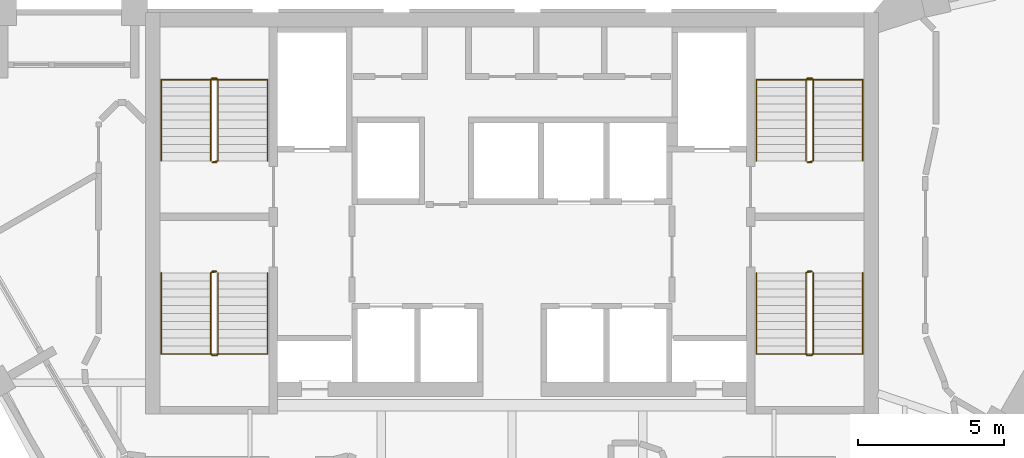
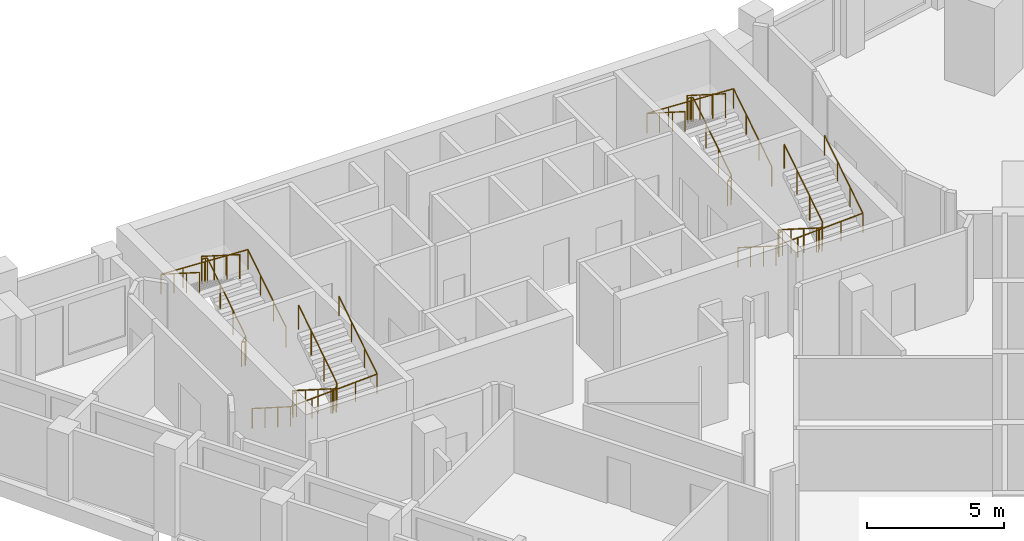
# One storey, part 9 of 9: 8 railings.
"""IFC4 building model written with IfcOpenShell, lengths in metres."""

from ifc_helpers import new_model, si_unit, direction, frame, origin, origin_2d, place, context, subcontext, project, spatial, circle, extrude, material, type_object, element, save


model = new_model("IFC4")

# Units and contexts
model_context = context("Model", 3, precision=1e-05, world=origin(), true_north=direction((0.0, 1.0)))
body_context = subcontext(model_context, "Body", "Model", "MODEL_VIEW")
ifc_project = project(units=[si_unit("LENGTHUNIT", "METRE"), si_unit("AREAUNIT", "SQUARE_METRE"), si_unit("VOLUMEUNIT", "CUBIC_METRE"), si_unit("PLANEANGLEUNIT", "RADIAN"), si_unit("MASSUNIT", "GRAM", prefix="KILO")], contexts=[model_context])

# Site, building, storey
site_placement = place(None, origin())
site = spatial("IfcSite", under=ifc_project, at=site_placement, CompositionType="ELEMENT")
building_placement = place(site_placement, origin())
building = spatial("IfcBuilding", under=site, at=building_placement, Name="Calabash Gate Tower", CompositionType="ELEMENT")
storey_placement = place(building_placement, frame((0.0, 0.0, 287.199951171875)))
storey = spatial("IfcBuildingStorey", under=building, at=storey_placement, Name="L69", CompositionType="ELEMENT", Elevation=287.199951171875)

# Railings
ifc_material_1 = material(Name="Black powder-coated steel balusters", Category="steel")
railing_type_1 = type_object("IfcRailingType", Name="Stair guard RL1100", PredefinedType="GUARDRAIL", material=ifc_material_1)
railing_1_placement = place(storey_placement, frame((-10.14990234375, 13.902587890625, 0.0)))
element("IfcRailing", 1, at=railing_1_placement, inside=storey, type_object=railing_type_1, Name="L69 ST1 stair guard 1", PredefinedType="GUARDRAIL", context=body_context, shape_type="SweptSolid", body=[
    extrude(circle(Radius=0.02392578125, at=origin_2d()), frame((0.0, 0.0, 1.076171875), z_axis=(-1.0, 0.0, 0.0), x_axis=(0.0, -1.0, 0.0)), (0.0, 0.0, 1.0), 0.150146484375),
    extrude(circle(Radius=0.02392578125, at=origin_2d()), frame((-0.150146484375, 0.0, 1.076171875), z_axis=(0.735524641326, 0.184105679453, 0.652003528208), x_axis=(-0.242814311512, 0.970072785993, 0.0)), (0.0, 0.0, 1.0), 0.271728515625),
    extrude(circle(Radius=0.02392578125, at=origin_2d()), frame((0.0498046875, 0.050048828125, 1.25341796875), z_axis=(0.0, 0.844041424197, 0.536277982245), x_axis=(-1.0, 0.0, 0.0)), (0.0, 0.0, 1.0), 3.3056640625),
    extrude(circle(Radius=0.02392578125, at=origin_2d()), frame((0.0498046875, 2.840087890625, 3.02587890625), z_axis=(-0.707106781187, 0.707106781187, 0.0), x_axis=(-0.707106781187, -0.707106781187, 0.0)), (0.0, 0.0, 1.0), 0.0703125),
    extrude(circle(Radius=0.02392578125, at=origin_2d()), frame((0.0, 2.889892578125, 3.02587890625), z_axis=(-1.0, 0.0, 0.0), x_axis=(0.0, -1.0, 0.0)), (0.0, 0.0, 1.0), 0.150146484375),
    extrude(circle(Radius=0.02392578125, at=origin_2d()), frame((-0.150146484375, 2.889892578125, 3.02587890625), z_axis=(-0.262009983441, -0.260731885961, 0.929176868105), x_axis=(0.705375805398, -0.708833529934, 0.0)), (0.0, 0.0, 1.0), 0.19091796875),
    extrude(circle(Radius=0.02392578125, at=origin_2d()), frame((-0.2001953125, 2.840087890625, 3.20361328125), z_axis=(0.0, -0.844041424197, 0.536277982245), x_axis=(1.0, 0.0, 0.0)), (0.0, 0.0, 1.0), 3.3056640625),
    extrude(circle(Radius=0.02099609375, at=origin_2d()), origin(), (0.0, 0.0, 1.0), 1.052001953125),
    extrude(circle(Radius=0.02099609375, at=origin_2d()), frame((-0.150146484375, 0.0, 0.0)), (0.0, 0.0, 1.0), 1.052001953125),
    extrude(circle(Radius=0.02099609375, at=origin_2d()), frame((0.0498046875, 0.050048828125, 0.17724609375)), (0.0, 0.0, 1.0), 1.052001953125),
    extrude(circle(Radius=0.02099609375, at=origin_2d()), frame((0.0498046875, 0.97998046875, 0.76806640625)), (0.0, 0.0, 1.0), 1.052001953125),
    extrude(circle(Radius=0.02099609375, at=origin_2d()), frame((0.0498046875, 1.91015625, 1.359130859375)), (0.0, 0.0, 1.0), 1.052001953125),
    extrude(circle(Radius=0.02099609375, at=origin_2d()), frame((0.0498046875, 2.840087890625, 1.949951171875)), (0.0, 0.0, 1.0), 1.052001953125),
    extrude(circle(Radius=0.02099609375, at=origin_2d()), frame((0.0, 2.889892578125, 1.949951171875)), (0.0, 0.0, 1.0), 1.052001953125),
    extrude(circle(Radius=0.02099609375, at=origin_2d()), frame((-0.150146484375, 2.889892578125, 1.949951171875)), (0.0, 0.0, 1.0), 1.052001953125),
    extrude(circle(Radius=0.02099609375, at=origin_2d()), frame((-0.2001953125, 2.840087890625, 2.12744140625)), (0.0, 0.0, 1.0), 1.052001953125),
    extrude(circle(Radius=0.02099609375, at=origin_2d()), frame((-0.2001953125, 1.91015625, 2.71826171875)), (0.0, 0.0, 1.0), 1.052001953125),
    extrude(circle(Radius=0.02099609375, at=origin_2d()), frame((-0.2001953125, 0.97998046875, 3.309326171875)), (0.0, 0.0, 1.0), 1.052001953125),
    extrude(circle(Radius=0.02099609375, at=origin_2d()), frame((-0.2001953125, 0.050048828125, 3.900146484375)), (0.0, 0.0, 1.0), 1.052001953125),
])
railing_2_placement = place(storey_placement, frame((-10.300048828125, 10.152587890625, 0.0)))
element("IfcRailing", 2, at=railing_2_placement, inside=storey, type_object=railing_type_1, Name="L69 ST2 stair guard 1", PredefinedType="GUARDRAIL", context=body_context, shape_type="SweptSolid", body=[
    extrude(circle(Radius=0.02392578125, at=origin_2d()), frame((0.0, 0.0, 1.076171875), z_axis=(1.0, 0.0, 0.0), x_axis=(0.0, 1.0, 0.0)), (0.0, 0.0, 1.0), 0.150146484375),
    extrude(circle(Radius=0.02392578125, at=origin_2d()), frame((0.150146484375, 0.0, 1.076171875), z_axis=(-0.735936453418, -0.183984113355, 0.651573006319), x_axis=(0.242535625036, -0.970142500145, 0.0)), (0.0, 0.0, 1.0), 0.27197265625),
    extrude(circle(Radius=0.02392578125, at=origin_2d()), frame((-0.050048828125, -0.050048828125, 1.25341796875), z_axis=(0.0, -0.844041424197, 0.536277982245), x_axis=(1.0, 0.0, 0.0)), (0.0, 0.0, 1.0), 3.3056640625),
    extrude(circle(Radius=0.02392578125, at=origin_2d()), frame((-0.050048828125, -2.840087890625, 3.02587890625), z_axis=(0.708833529934, -0.705375805398, 0.0), x_axis=(0.705375805398, 0.708833529934, 0.0)), (0.0, 0.0, 1.0), 0.070556640625),
    extrude(circle(Radius=0.02392578125, at=origin_2d()), frame((0.0, -2.889892578125, 3.02587890625), z_axis=(1.0, 0.0, 0.0), x_axis=(0.0, 1.0, 0.0)), (0.0, 0.0, 1.0), 0.150146484375),
    extrude(circle(Radius=0.02392578125, at=origin_2d()), frame((0.150146484375, -2.889892578125, 3.02587890625), z_axis=(0.26081902908, 0.26081902908, 0.92948742226), x_axis=(-0.707106781187, 0.707106781187, 0.0)), (0.0, 0.0, 1.0), 0.19091796875),
    extrude(circle(Radius=0.02392578125, at=origin_2d()), frame((0.199951171875, -2.840087890625, 3.20361328125), z_axis=(0.0, 0.844041424197, 0.536277982245), x_axis=(-1.0, 0.0, 0.0)), (0.0, 0.0, 1.0), 3.3056640625),
    extrude(circle(Radius=0.02099609375, at=origin_2d()), origin(), (0.0, 0.0, 1.0), 1.052001953125),
    extrude(circle(Radius=0.02099609375, at=origin_2d()), frame((0.150146484375, 0.0, 0.0)), (0.0, 0.0, 1.0), 1.052001953125),
    extrude(circle(Radius=0.02099609375, at=origin_2d()), frame((-0.050048828125, -0.050048828125, 0.17724609375)), (0.0, 0.0, 1.0), 1.052001953125),
    extrude(circle(Radius=0.02099609375, at=origin_2d()), frame((-0.050048828125, -0.97998046875, 0.76806640625)), (0.0, 0.0, 1.0), 1.052001953125),
    extrude(circle(Radius=0.02099609375, at=origin_2d()), frame((-0.050048828125, -1.91015625, 1.359130859375)), (0.0, 0.0, 1.0), 1.052001953125),
    extrude(circle(Radius=0.02099609375, at=origin_2d()), frame((-0.050048828125, -2.840087890625, 1.949951171875)), (0.0, 0.0, 1.0), 1.052001953125),
    extrude(circle(Radius=0.02099609375, at=origin_2d()), frame((0.0, -2.889892578125, 1.949951171875)), (0.0, 0.0, 1.0), 1.052001953125),
    extrude(circle(Radius=0.02099609375, at=origin_2d()), frame((0.150146484375, -2.889892578125, 1.949951171875)), (0.0, 0.0, 1.0), 1.052001953125),
    extrude(circle(Radius=0.02099609375, at=origin_2d()), frame((0.199951171875, -2.840087890625, 2.12744140625)), (0.0, 0.0, 1.0), 1.052001953125),
    extrude(circle(Radius=0.02099609375, at=origin_2d()), frame((0.199951171875, -1.91015625, 2.71826171875)), (0.0, 0.0, 1.0), 1.052001953125),
    extrude(circle(Radius=0.02099609375, at=origin_2d()), frame((0.199951171875, -0.97998046875, 3.309326171875)), (0.0, 0.0, 1.0), 1.052001953125),
    extrude(circle(Radius=0.02099609375, at=origin_2d()), frame((0.199951171875, -0.050048828125, 3.900146484375)), (0.0, 0.0, 1.0), 1.052001953125),
])
railing_3_placement = place(storey_placement, frame((10.300048828125, 13.902587890625, 0.0)))
element("IfcRailing", 3, at=railing_3_placement, inside=storey, type_object=railing_type_1, Name="L69 ST3 stair guard 1", PredefinedType="GUARDRAIL", context=body_context, shape_type="SweptSolid", body=[
    extrude(circle(Radius=0.02392578125, at=origin_2d()), frame((0.0, 0.0, 1.076171875), z_axis=(-1.0, 0.0, 0.0), x_axis=(0.0, -1.0, 0.0)), (0.0, 0.0, 1.0), 0.150146484375),
    extrude(circle(Radius=0.02392578125, at=origin_2d()), frame((-0.150146484375, 0.0, 1.076171875), z_axis=(0.735936453418, 0.183984113355, 0.651573006319), x_axis=(-0.242535625036, 0.970142500145, 0.0)), (0.0, 0.0, 1.0), 0.27197265625),
    extrude(circle(Radius=0.02392578125, at=origin_2d()), frame((0.050048828125, 0.050048828125, 1.25341796875), z_axis=(0.0, 0.844041424197, 0.536277982245), x_axis=(-1.0, 0.0, 0.0)), (0.0, 0.0, 1.0), 3.3056640625),
    extrude(circle(Radius=0.02392578125, at=origin_2d()), frame((0.050048828125, 2.840087890625, 3.02587890625), z_axis=(-0.708833529934, 0.705375805398, 0.0), x_axis=(-0.705375805398, -0.708833529934, 0.0)), (0.0, 0.0, 1.0), 0.070556640625),
    extrude(circle(Radius=0.02392578125, at=origin_2d()), frame((0.0, 2.889892578125, 3.02587890625), z_axis=(-1.0, 0.0, 0.0), x_axis=(0.0, -1.0, 0.0)), (0.0, 0.0, 1.0), 0.150146484375),
    extrude(circle(Radius=0.02392578125, at=origin_2d()), frame((-0.150146484375, 2.889892578125, 3.02587890625), z_axis=(-0.26081902908, -0.26081902908, 0.92948742226), x_axis=(0.707106781187, -0.707106781187, 0.0)), (0.0, 0.0, 1.0), 0.19091796875),
    extrude(circle(Radius=0.02392578125, at=origin_2d()), frame((-0.199951171875, 2.840087890625, 3.20361328125), z_axis=(0.0, -0.844041424197, 0.536277982245), x_axis=(1.0, 0.0, 0.0)), (0.0, 0.0, 1.0), 3.3056640625),
    extrude(circle(Radius=0.02099609375, at=origin_2d()), origin(), (0.0, 0.0, 1.0), 1.052001953125),
    extrude(circle(Radius=0.02099609375, at=origin_2d()), frame((-0.150146484375, 0.0, 0.0)), (0.0, 0.0, 1.0), 1.052001953125),
    extrude(circle(Radius=0.02099609375, at=origin_2d()), frame((0.050048828125, 0.050048828125, 0.17724609375)), (0.0, 0.0, 1.0), 1.052001953125),
    extrude(circle(Radius=0.02099609375, at=origin_2d()), frame((0.050048828125, 0.97998046875, 0.76806640625)), (0.0, 0.0, 1.0), 1.052001953125),
    extrude(circle(Radius=0.02099609375, at=origin_2d()), frame((0.050048828125, 1.91015625, 1.359130859375)), (0.0, 0.0, 1.0), 1.052001953125),
    extrude(circle(Radius=0.02099609375, at=origin_2d()), frame((0.050048828125, 2.840087890625, 1.949951171875)), (0.0, 0.0, 1.0), 1.052001953125),
    extrude(circle(Radius=0.02099609375, at=origin_2d()), frame((0.0, 2.889892578125, 1.949951171875)), (0.0, 0.0, 1.0), 1.052001953125),
    extrude(circle(Radius=0.02099609375, at=origin_2d()), frame((-0.150146484375, 2.889892578125, 1.949951171875)), (0.0, 0.0, 1.0), 1.052001953125),
    extrude(circle(Radius=0.02099609375, at=origin_2d()), frame((-0.199951171875, 2.840087890625, 2.12744140625)), (0.0, 0.0, 1.0), 1.052001953125),
    extrude(circle(Radius=0.02099609375, at=origin_2d()), frame((-0.199951171875, 1.91015625, 2.71826171875)), (0.0, 0.0, 1.0), 1.052001953125),
    extrude(circle(Radius=0.02099609375, at=origin_2d()), frame((-0.199951171875, 0.97998046875, 3.309326171875)), (0.0, 0.0, 1.0), 1.052001953125),
    extrude(circle(Radius=0.02099609375, at=origin_2d()), frame((-0.199951171875, 0.050048828125, 3.900146484375)), (0.0, 0.0, 1.0), 1.052001953125),
])
railing_4_placement = place(storey_placement, frame((10.14990234375, 10.152587890625, 0.0)))
element("IfcRailing", 4, at=railing_4_placement, inside=storey, type_object=railing_type_1, Name="L69 ST4 stair guard 1", PredefinedType="GUARDRAIL", context=body_context, shape_type="SweptSolid", body=[
    extrude(circle(Radius=0.02392578125, at=origin_2d()), frame((0.0, 0.0, 1.076171875), z_axis=(1.0, 0.0, 0.0), x_axis=(0.0, 1.0, 0.0)), (0.0, 0.0, 1.0), 0.150146484375),
    extrude(circle(Radius=0.02392578125, at=origin_2d()), frame((0.150146484375, 0.0, 1.076171875), z_axis=(-0.735524641326, -0.184105679453, 0.652003528208), x_axis=(0.242814311512, -0.970072785993, 0.0)), (0.0, 0.0, 1.0), 0.271728515625),
    extrude(circle(Radius=0.02392578125, at=origin_2d()), frame((-0.0498046875, -0.050048828125, 1.25341796875), z_axis=(0.0, -0.844041424197, 0.536277982245), x_axis=(1.0, 0.0, 0.0)), (0.0, 0.0, 1.0), 3.3056640625),
    extrude(circle(Radius=0.02392578125, at=origin_2d()), frame((-0.0498046875, -2.840087890625, 3.02587890625), z_axis=(0.707106781187, -0.707106781187, 0.0), x_axis=(0.707106781187, 0.707106781187, 0.0)), (0.0, 0.0, 1.0), 0.0703125),
    extrude(circle(Radius=0.02392578125, at=origin_2d()), frame((0.0, -2.889892578125, 3.02587890625), z_axis=(1.0, 0.0, 0.0), x_axis=(0.0, 1.0, 0.0)), (0.0, 0.0, 1.0), 0.150146484375),
    extrude(circle(Radius=0.02392578125, at=origin_2d()), frame((0.150146484375, -2.889892578125, 3.02587890625), z_axis=(0.262009983441, 0.260731885961, 0.929176868105), x_axis=(-0.705375805398, 0.708833529934, 0.0)), (0.0, 0.0, 1.0), 0.19091796875),
    extrude(circle(Radius=0.02392578125, at=origin_2d()), frame((0.2001953125, -2.840087890625, 3.20361328125), z_axis=(0.0, 0.844041424197, 0.536277982245), x_axis=(-1.0, 0.0, 0.0)), (0.0, 0.0, 1.0), 3.3056640625),
    extrude(circle(Radius=0.02099609375, at=origin_2d()), origin(), (0.0, 0.0, 1.0), 1.052001953125),
    extrude(circle(Radius=0.02099609375, at=origin_2d()), frame((0.150146484375, 0.0, 0.0)), (0.0, 0.0, 1.0), 1.052001953125),
    extrude(circle(Radius=0.02099609375, at=origin_2d()), frame((-0.0498046875, -0.050048828125, 0.17724609375)), (0.0, 0.0, 1.0), 1.052001953125),
    extrude(circle(Radius=0.02099609375, at=origin_2d()), frame((-0.0498046875, -0.97998046875, 0.76806640625)), (0.0, 0.0, 1.0), 1.052001953125),
    extrude(circle(Radius=0.02099609375, at=origin_2d()), frame((-0.0498046875, -1.91015625, 1.359130859375)), (0.0, 0.0, 1.0), 1.052001953125),
    extrude(circle(Radius=0.02099609375, at=origin_2d()), frame((-0.0498046875, -2.840087890625, 1.949951171875)), (0.0, 0.0, 1.0), 1.052001953125),
    extrude(circle(Radius=0.02099609375, at=origin_2d()), frame((0.0, -2.889892578125, 1.949951171875)), (0.0, 0.0, 1.0), 1.052001953125),
    extrude(circle(Radius=0.02099609375, at=origin_2d()), frame((0.150146484375, -2.889892578125, 1.949951171875)), (0.0, 0.0, 1.0), 1.052001953125),
    extrude(circle(Radius=0.02099609375, at=origin_2d()), frame((0.2001953125, -2.840087890625, 2.12744140625)), (0.0, 0.0, 1.0), 1.052001953125),
    extrude(circle(Radius=0.02099609375, at=origin_2d()), frame((0.2001953125, -1.91015625, 2.71826171875)), (0.0, 0.0, 1.0), 1.052001953125),
    extrude(circle(Radius=0.02099609375, at=origin_2d()), frame((0.2001953125, -0.97998046875, 3.309326171875)), (0.0, 0.0, 1.0), 1.052001953125),
    extrude(circle(Radius=0.02099609375, at=origin_2d()), frame((0.2001953125, -0.050048828125, 3.900146484375)), (0.0, 0.0, 1.0), 1.052001953125),
])
ifc_material_2 = material(Name="Black powder-coated steel tube 48 mm", Category="steel")
railing_type_2 = type_object("IfcRailingType", Name="Stair handrail RL900", PredefinedType="HANDRAIL", material=ifc_material_2)
railing_5_placement = place(storey_placement, frame((-8.39990234375, 13.95263671875, 0.17724609375)))
element("IfcRailing", 5, at=railing_5_placement, inside=storey, type_object=railing_type_2, Name="L69 ST1 stair handrail 1", PredefinedType="HANDRAIL", context=body_context, shape_type="SweptSolid", body=[
    extrude(circle(Radius=0.02392578125, at=origin_2d()), frame((0.0, 0.0, 0.8759765625), z_axis=(0.0, 0.844041424197, 0.536277982245), x_axis=(-1.0, 0.0, 0.0)), (0.0, 0.0, 1.0), 3.3056640625),
    extrude(circle(Radius=0.02392578125, at=origin_2d()), frame((0.0, 2.7900390625, 2.6484375), z_axis=(-0.998819872233, 0.0, 0.048568125685), x_axis=(0.0, -1.0, 0.0)), (0.0, 0.0, 1.0), 3.654541015625),
    extrude(circle(Radius=0.02392578125, at=origin_2d()), frame((-3.650146484375, 2.7900390625, 2.826171875), z_axis=(0.0, -0.844041424197, 0.536277982245), x_axis=(1.0, 0.0, 0.0)), (0.0, 0.0, 1.0), 3.3056640625),
    extrude(circle(Radius=0.02099609375, at=origin_2d()), origin(), (0.0, 0.0, 1.0), 0.851806640625),
    extrude(circle(Radius=0.02099609375, at=origin_2d()), frame((0.0, 0.929931640625, 0.5908203125)), (0.0, 0.0, 1.0), 0.851806640625),
    extrude(circle(Radius=0.02099609375, at=origin_2d()), frame((0.0, 1.860107421875, 1.181884765625)), (0.0, 0.0, 1.0), 0.851806640625),
    extrude(circle(Radius=0.02099609375, at=origin_2d()), frame((0.0, 2.7900390625, 1.772705078125)), (0.0, 0.0, 1.0), 0.851806640625),
    extrude(circle(Radius=0.02099609375, at=origin_2d()), frame((-0.91259765625, 2.7900390625, 1.817138671875)), (0.0, 0.0, 1.0), 0.851806640625),
    extrude(circle(Radius=0.02099609375, at=origin_2d()), frame((-1.8251953125, 2.7900390625, 1.861328125)), (0.0, 0.0, 1.0), 0.851806640625),
    extrude(circle(Radius=0.02099609375, at=origin_2d()), frame((-2.737548828125, 2.7900390625, 1.90576171875)), (0.0, 0.0, 1.0), 0.851806640625),
    extrude(circle(Radius=0.02099609375, at=origin_2d()), frame((-3.650146484375, 2.7900390625, 1.9501953125)), (0.0, 0.0, 1.0), 0.851806640625),
    extrude(circle(Radius=0.02099609375, at=origin_2d()), frame((-3.650146484375, 1.860107421875, 2.541015625)), (0.0, 0.0, 1.0), 0.851806640625),
    extrude(circle(Radius=0.02099609375, at=origin_2d()), frame((-3.650146484375, 0.929931640625, 3.132080078125)), (0.0, 0.0, 1.0), 0.851806640625),
    extrude(circle(Radius=0.02099609375, at=origin_2d()), frame((-3.650146484375, 0.0, 3.722900390625)), (0.0, 0.0, 1.0), 0.851806640625),
])
railing_6_placement = place(storey_placement, frame((-12.050048828125, 10.1025390625, 0.17724609375)))
element("IfcRailing", 6, at=railing_6_placement, inside=storey, type_object=railing_type_2, Name="L69 ST2 stair handrail 1", PredefinedType="HANDRAIL", context=body_context, shape_type="SweptSolid", body=[
    extrude(circle(Radius=0.02392578125, at=origin_2d()), frame((0.0, 0.0, 0.8759765625), z_axis=(0.0, -0.844041424197, 0.536277982245), x_axis=(1.0, 0.0, 0.0)), (0.0, 0.0, 1.0), 3.3056640625),
    extrude(circle(Radius=0.02392578125, at=origin_2d()), frame((0.0, -2.7900390625, 2.6484375), z_axis=(0.998819872233, 0.0, 0.048568125685), x_axis=(0.0, 1.0, 0.0)), (0.0, 0.0, 1.0), 3.654541015625),
    extrude(circle(Radius=0.02392578125, at=origin_2d()), frame((3.650146484375, -2.7900390625, 2.826171875), z_axis=(0.0, 0.844041424197, 0.536277982245), x_axis=(-1.0, 0.0, 0.0)), (0.0, 0.0, 1.0), 3.3056640625),
    extrude(circle(Radius=0.02099609375, at=origin_2d()), origin(), (0.0, 0.0, 1.0), 0.851806640625),
    extrude(circle(Radius=0.02099609375, at=origin_2d()), frame((0.0, -0.929931640625, 0.5908203125)), (0.0, 0.0, 1.0), 0.851806640625),
    extrude(circle(Radius=0.02099609375, at=origin_2d()), frame((0.0, -1.860107421875, 1.181884765625)), (0.0, 0.0, 1.0), 0.851806640625),
    extrude(circle(Radius=0.02099609375, at=origin_2d()), frame((0.0, -2.7900390625, 1.772705078125)), (0.0, 0.0, 1.0), 0.851806640625),
    extrude(circle(Radius=0.02099609375, at=origin_2d()), frame((0.91259765625, -2.7900390625, 1.817138671875)), (0.0, 0.0, 1.0), 0.851806640625),
    extrude(circle(Radius=0.02099609375, at=origin_2d()), frame((1.8251953125, -2.7900390625, 1.861328125)), (0.0, 0.0, 1.0), 0.851806640625),
    extrude(circle(Radius=0.02099609375, at=origin_2d()), frame((2.737548828125, -2.7900390625, 1.90576171875)), (0.0, 0.0, 1.0), 0.851806640625),
    extrude(circle(Radius=0.02099609375, at=origin_2d()), frame((3.650146484375, -2.7900390625, 1.9501953125)), (0.0, 0.0, 1.0), 0.851806640625),
    extrude(circle(Radius=0.02099609375, at=origin_2d()), frame((3.650146484375, -1.860107421875, 2.541015625)), (0.0, 0.0, 1.0), 0.851806640625),
    extrude(circle(Radius=0.02099609375, at=origin_2d()), frame((3.650146484375, -0.929931640625, 3.132080078125)), (0.0, 0.0, 1.0), 0.851806640625),
    extrude(circle(Radius=0.02099609375, at=origin_2d()), frame((3.650146484375, 0.0, 3.722900390625)), (0.0, 0.0, 1.0), 0.851806640625),
])
railing_7_placement = place(storey_placement, frame((12.050048828125, 13.95263671875, 0.17724609375)))
element("IfcRailing", 7, at=railing_7_placement, inside=storey, type_object=railing_type_2, Name="L69 ST3 stair handrail 1", PredefinedType="HANDRAIL", context=body_context, shape_type="SweptSolid", body=[
    extrude(circle(Radius=0.02392578125, at=origin_2d()), frame((0.0, 0.0, 0.8759765625), z_axis=(0.0, 0.844041424197, 0.536277982245), x_axis=(-1.0, 0.0, 0.0)), (0.0, 0.0, 1.0), 3.3056640625),
    extrude(circle(Radius=0.02392578125, at=origin_2d()), frame((0.0, 2.7900390625, 2.6484375), z_axis=(-0.998819872233, 0.0, 0.048568125685), x_axis=(0.0, -1.0, 0.0)), (0.0, 0.0, 1.0), 3.654541015625),
    extrude(circle(Radius=0.02392578125, at=origin_2d()), frame((-3.650146484375, 2.7900390625, 2.826171875), z_axis=(0.0, -0.844041424197, 0.536277982245), x_axis=(1.0, 0.0, 0.0)), (0.0, 0.0, 1.0), 3.3056640625),
    extrude(circle(Radius=0.02099609375, at=origin_2d()), origin(), (0.0, 0.0, 1.0), 0.851806640625),
    extrude(circle(Radius=0.02099609375, at=origin_2d()), frame((0.0, 0.929931640625, 0.5908203125)), (0.0, 0.0, 1.0), 0.851806640625),
    extrude(circle(Radius=0.02099609375, at=origin_2d()), frame((0.0, 1.860107421875, 1.181884765625)), (0.0, 0.0, 1.0), 0.851806640625),
    extrude(circle(Radius=0.02099609375, at=origin_2d()), frame((0.0, 2.7900390625, 1.772705078125)), (0.0, 0.0, 1.0), 0.851806640625),
    extrude(circle(Radius=0.02099609375, at=origin_2d()), frame((-0.91259765625, 2.7900390625, 1.817138671875)), (0.0, 0.0, 1.0), 0.851806640625),
    extrude(circle(Radius=0.02099609375, at=origin_2d()), frame((-1.8251953125, 2.7900390625, 1.861328125)), (0.0, 0.0, 1.0), 0.851806640625),
    extrude(circle(Radius=0.02099609375, at=origin_2d()), frame((-2.737548828125, 2.7900390625, 1.90576171875)), (0.0, 0.0, 1.0), 0.851806640625),
    extrude(circle(Radius=0.02099609375, at=origin_2d()), frame((-3.650146484375, 2.7900390625, 1.9501953125)), (0.0, 0.0, 1.0), 0.851806640625),
    extrude(circle(Radius=0.02099609375, at=origin_2d()), frame((-3.650146484375, 1.860107421875, 2.541015625)), (0.0, 0.0, 1.0), 0.851806640625),
    extrude(circle(Radius=0.02099609375, at=origin_2d()), frame((-3.650146484375, 0.929931640625, 3.132080078125)), (0.0, 0.0, 1.0), 0.851806640625),
    extrude(circle(Radius=0.02099609375, at=origin_2d()), frame((-3.650146484375, 0.0, 3.722900390625)), (0.0, 0.0, 1.0), 0.851806640625),
])
railing_8_placement = place(storey_placement, frame((8.39990234375, 10.1025390625, 0.17724609375)))
element("IfcRailing", 8, at=railing_8_placement, inside=storey, type_object=railing_type_2, Name="L69 ST4 stair handrail 1", PredefinedType="HANDRAIL", context=body_context, shape_type="SweptSolid", body=[
    extrude(circle(Radius=0.02392578125, at=origin_2d()), frame((0.0, 0.0, 0.8759765625), z_axis=(0.0, -0.844041424197, 0.536277982245), x_axis=(1.0, 0.0, 0.0)), (0.0, 0.0, 1.0), 3.3056640625),
    extrude(circle(Radius=0.02392578125, at=origin_2d()), frame((0.0, -2.7900390625, 2.6484375), z_axis=(0.998819872233, 0.0, 0.048568125685), x_axis=(0.0, 1.0, 0.0)), (0.0, 0.0, 1.0), 3.654541015625),
    extrude(circle(Radius=0.02392578125, at=origin_2d()), frame((3.650146484375, -2.7900390625, 2.826171875), z_axis=(0.0, 0.844041424197, 0.536277982245), x_axis=(-1.0, 0.0, 0.0)), (0.0, 0.0, 1.0), 3.3056640625),
    extrude(circle(Radius=0.02099609375, at=origin_2d()), origin(), (0.0, 0.0, 1.0), 0.851806640625),
    extrude(circle(Radius=0.02099609375, at=origin_2d()), frame((0.0, -0.929931640625, 0.5908203125)), (0.0, 0.0, 1.0), 0.851806640625),
    extrude(circle(Radius=0.02099609375, at=origin_2d()), frame((0.0, -1.860107421875, 1.181884765625)), (0.0, 0.0, 1.0), 0.851806640625),
    extrude(circle(Radius=0.02099609375, at=origin_2d()), frame((0.0, -2.7900390625, 1.772705078125)), (0.0, 0.0, 1.0), 0.851806640625),
    extrude(circle(Radius=0.02099609375, at=origin_2d()), frame((0.91259765625, -2.7900390625, 1.817138671875)), (0.0, 0.0, 1.0), 0.851806640625),
    extrude(circle(Radius=0.02099609375, at=origin_2d()), frame((1.8251953125, -2.7900390625, 1.861328125)), (0.0, 0.0, 1.0), 0.851806640625),
    extrude(circle(Radius=0.02099609375, at=origin_2d()), frame((2.737548828125, -2.7900390625, 1.90576171875)), (0.0, 0.0, 1.0), 0.851806640625),
    extrude(circle(Radius=0.02099609375, at=origin_2d()), frame((3.650146484375, -2.7900390625, 1.9501953125)), (0.0, 0.0, 1.0), 0.851806640625),
    extrude(circle(Radius=0.02099609375, at=origin_2d()), frame((3.650146484375, -1.860107421875, 2.541015625)), (0.0, 0.0, 1.0), 0.851806640625),
    extrude(circle(Radius=0.02099609375, at=origin_2d()), frame((3.650146484375, -0.929931640625, 3.132080078125)), (0.0, 0.0, 1.0), 0.851806640625),
    extrude(circle(Radius=0.02099609375, at=origin_2d()), frame((3.650146484375, 0.0, 3.722900390625)), (0.0, 0.0, 1.0), 0.851806640625),
])

save(model, "model.ifc")
